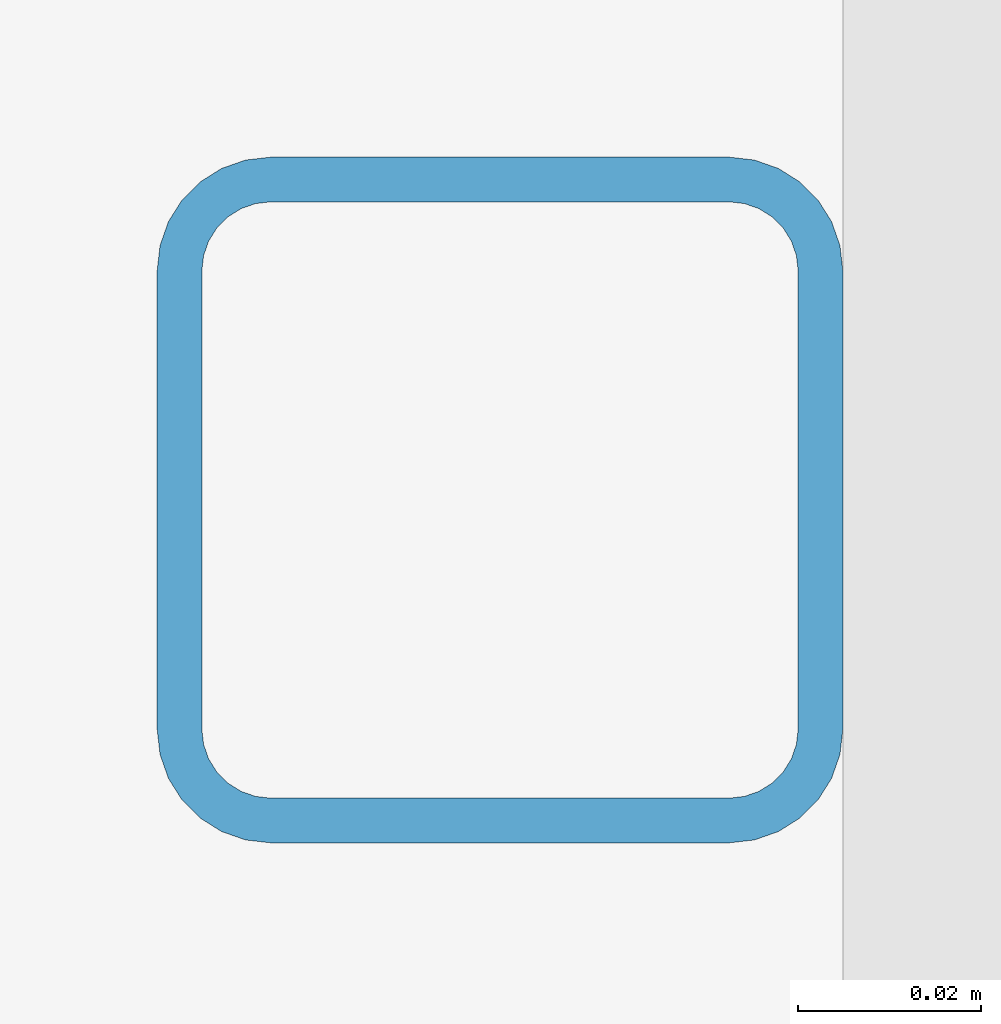
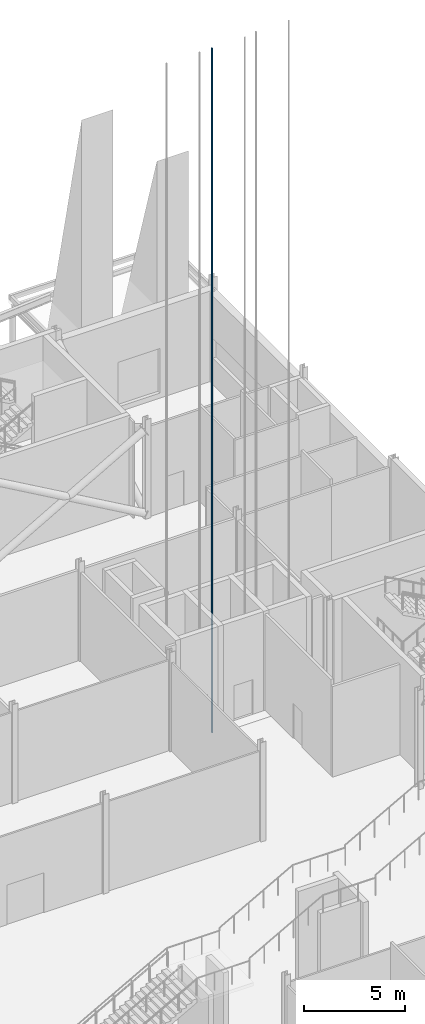
# One storey, part 64 of 139: 1 member.
"""IFC4 building model written with IfcOpenShell, lengths in metres."""

import ifcopenshell
import ifcopenshell.guid

model = None  # the IFC model being written
_history = None  # IfcOwnerHistory: only IFC2X3 demands one
_inside = {}  # id of a spatial element -> (the spatial element, [elements in it])
_under = {}  # id of a project, library or spatial element -> (it, [spatial elements below it])
_declared = {}  # id of a project -> (the project, [libraries it declares])
_typed = {}  # id of a type object -> (the type object, [elements of that type])
_made_of = {}  # id of a material, layer set ... -> (it, [elements and type objects made of it])


def new_model(schema):
    """Start an empty IFC model of exactly this schema.

    Asked for "IFC4X3", IfcOpenShell would pick the latest addendum, in which some entities
    have other attributes; the version numbers below select the first issue.
    IFC2X3 requires an IfcOwnerHistory on every rooted entity: one is made here for all.
    """
    global model, _history
    if schema == "IFC4X3":
        model = ifcopenshell.file(schema_version=(4, 3, 0, 0))
    else:
        model = ifcopenshell.file(schema=schema)
    _inside.clear()
    _under.clear()
    _declared.clear()
    _typed.clear()
    _made_of.clear()
    _history = None
    if model.schema == "IFC2X3":
        org = make("IfcOrganization", Name="unknown")
        user = make(
            "IfcPersonAndOrganization",
            ThePerson=make("IfcPerson", FamilyName="unknown"),
            TheOrganization=org,
        )
        app = make(
            "IfcApplication",
            ApplicationDeveloper=org,
            Version="unknown",
            ApplicationFullName="unknown",
            ApplicationIdentifier="unknown",
        )
        _history = make(
            "IfcOwnerHistory",
            OwningUser=user,
            OwningApplication=app,
            ChangeAction="ADDED",
            CreationDate=0,
        )
    return model


def make(cls, **values):
    """One entity of the class cls with the attributes given. An attribute that is None is left unset."""
    return model.create_entity(
        cls, **{name: value for name, value in values.items() if value is not None}
    )


def rooted(cls, **values):
    """An entity with a GlobalId (a new one), such as an element, a storey or a relation."""
    return make(cls, GlobalId=ifcopenshell.guid.new(), OwnerHistory=_history, **values)


def si_unit(unit_type, name, prefix=None):
    """IfcSIUnit, for example si_unit("LENGTHUNIT", "METRE", prefix="MILLI")."""
    return make("IfcSIUnit", UnitType=unit_type, Prefix=prefix, Name=name)


def assignment(units):
    """IfcUnitAssignment: the units of a project."""
    return None if units is None else make("IfcUnitAssignment", Units=units)


def point(xyz):
    """IfcCartesianPoint."""
    return None if xyz is None else make("IfcCartesianPoint", Coordinates=xyz)


def direction(xyz):
    """IfcDirection."""
    return None if xyz is None else make("IfcDirection", DirectionRatios=xyz)


def frame(location, z_axis=None, x_axis=None):
    """IfcAxis2Placement3D, a coordinate frame: its origin and axes. An axis left out is left unset."""
    return make(
        "IfcAxis2Placement3D",
        Location=point(location),
        Axis=direction(z_axis),
        RefDirection=direction(x_axis),
    )


def frame_2d(location, x_axis=None):
    """IfcAxis2Placement2D, a coordinate frame in the plane: its origin and x axis."""
    return make(
        "IfcAxis2Placement2D", Location=point(location), RefDirection=direction(x_axis)
    )


def origin():
    """The frame at (0, 0, 0) with its axes left unset."""
    return frame((0.0, 0.0, 0.0))


def origin_2d():
    """The frame at (0, 0) in the plane with its x axis left unset."""
    return frame_2d((0.0, 0.0))


def place(relative_to, where):
    """IfcLocalPlacement: puts the frame where relative to a parent placement (None: the world)."""
    return make(
        "IfcLocalPlacement", PlacementRelTo=relative_to, RelativePlacement=where
    )


def context(
    kind, dimensions, precision=None, world=None, true_north=None, identifier=None
):
    """IfcGeometricRepresentationContext, for example the 3D "Model" context."""
    return make(
        "IfcGeometricRepresentationContext",
        ContextIdentifier=identifier,
        ContextType=kind,
        CoordinateSpaceDimension=dimensions,
        Precision=precision,
        WorldCoordinateSystem=world,
        TrueNorth=true_north,
    )


def subcontext(parent, identifier, kind, view, scale=None):
    """IfcGeometricRepresentationSubContext, for example "Body" below "Model"."""
    return make(
        "IfcGeometricRepresentationSubContext",
        ContextIdentifier=identifier,
        ContextType=kind,
        ParentContext=parent,
        TargetScale=scale,
        TargetView=view,
    )


def project(units=None, contexts=None):
    """IfcProject with its units and contexts."""
    return rooted(
        "IfcProject",
        Name="project",
        RepresentationContexts=contexts,
        UnitsInContext=assignment(units),
    )


def spatial(cls, under=None, at=None, **own):
    """A site, building, storey or space (cls), placed at a placement, below another one or the project."""
    s = rooted(cls, ObjectPlacement=at, **own)
    if under is not None:
        _under.setdefault(under.id(), (under, []))[1].append(s)
    return s


def profile(cls, at=None, kind="AREA", **sizes):
    """A parametric profile (cls). Its sizes go by their IFC names, for example OverallWidth=200.0."""
    return make(cls, ProfileType=kind, Position=at, **sizes)


def hollow_rectangle(**sizes):
    """IfcRectangleHollowProfileDef."""
    return profile("IfcRectangleHollowProfileDef", **sizes)


def extrude(swept, where, along, depth):
    """IfcExtrudedAreaSolid: the profile swept, set in the frame where, extruded along a direction by depth."""
    return make(
        "IfcExtrudedAreaSolid",
        SweptArea=swept,
        Position=where,
        ExtrudedDirection=direction(along),
        Depth=depth,
    )


def shape(context_of_items, identifier, shape_type, items):
    """IfcShapeRepresentation: the items that make up one representation, for example the "Body"."""
    return make(
        "IfcShapeRepresentation",
        ContextOfItems=context_of_items,
        RepresentationIdentifier=identifier,
        RepresentationType=shape_type,
        Items=items,
    )


def material(Name=None, Category=None):
    """IfcMaterial."""
    return make("IfcMaterial", Name=Name, Category=Category)


def material_profile(
    of_material, cross_section, Name=None, Category=None, Priority=None
):
    """IfcMaterialProfile: a cross section and its material."""
    return make(
        "IfcMaterialProfile",
        Name=Name,
        Material=of_material,
        Profile=cross_section,
        Priority=Priority,
        Category=Category,
    )


def profile_set(profiles, Name=None, composite=None):
    """IfcMaterialProfileSet."""
    return make(
        "IfcMaterialProfileSet",
        Name=Name,
        MaterialProfiles=profiles,
        CompositeProfile=composite,
    )


def made_of(thing, what):
    """Note that an element or type object is made of a material, layer set ...; save() writes the relation."""
    if what is not None:
        _made_of.setdefault(what.id(), (what, []))[1].append(thing)
    return thing


def type_object(cls, material=None, **own):
    """A type object (cls), such as IfcWallType, which elements share."""
    return made_of(rooted(cls, **own), material)


def element(
    cls,
    number,
    at=None,
    inside=None,
    cuts=None,
    type_object=None,
    material=None,
    context=None,
    identifier="Body",
    shape_type=None,
    held_by="IfcProductDefinitionShape",
    body=None,
    shapes=None,
    **own,
):
    """One element of the class cls, such as IfcWall. Its Tag is "e" and its number.

    at: its placement. inside: the storey or other place that contains it. cuts: it is an
    opening in that element (IfcRelVoidsElement). A single representation is given by context,
    identifier, shape_type and body (its items); several are given by shapes. held_by: the class
    of the entity that holds the representations. save() writes the other relations.
    """
    e = rooted(cls, Tag="e%d" % number, ObjectPlacement=at, **own)
    if body is not None:
        shapes = [shape(context, identifier, shape_type, body)]
    if shapes is not None:
        e.Representation = make(held_by, Representations=shapes)
    if inside is not None:
        _inside.setdefault(inside.id(), (inside, []))[1].append(e)
    if cuts is not None:
        rooted(
            "IfcRelVoidsElement", RelatingBuildingElement=cuts, RelatedOpeningElement=e
        )
    if type_object is not None:
        _typed.setdefault(type_object.id(), (type_object, []))[1].append(e)
    return made_of(e, material)


def aggregate(whole, parts):
    """IfcRelAggregates: a whole, such as a stair, and the parts it consists of."""
    return rooted("IfcRelAggregates", RelatingObject=whole, RelatedObjects=parts)


def save(model, path):
    """Write the relations noted so far, then the file.

    IfcRelAggregates (storeys below a building ...), IfcRelContainedInSpatialStructure (elements
    in a storey), IfcRelDefinesByType, IfcRelAssociatesMaterial and IfcRelDeclares: one each for
    every whole, place, type object, material and project.
    """
    for whole, parts in _under.values():
        aggregate(whole, parts)
    for where, things in _inside.values():
        rooted(
            "IfcRelContainedInSpatialStructure",
            RelatedElements=things,
            RelatingStructure=where,
        )
    for kind, things in _typed.values():
        rooted("IfcRelDefinesByType", RelatedObjects=things, RelatingType=kind)
    for what, things in _made_of.values():
        rooted("IfcRelAssociatesMaterial", RelatedObjects=things, RelatingMaterial=what)
    for by, libraries in _declared.values():
        rooted("IfcRelDeclares", RelatingContext=by, RelatedDefinitions=libraries)
    model.write(path)


model = new_model("IFC4")

# Units and contexts
model_context = context("Model", 3, precision=1e-05, world=origin(), true_north=direction((0.0, 1.0)))
body_context = subcontext(model_context, "Body", "Model", "MODEL_VIEW")
ifc_project = project(units=[si_unit("LENGTHUNIT", "METRE"), si_unit("AREAUNIT", "SQUARE_METRE"), si_unit("VOLUMEUNIT", "CUBIC_METRE"), si_unit("PLANEANGLEUNIT", "RADIAN"), si_unit("MASSUNIT", "GRAM", prefix="KILO")], contexts=[model_context])

# Site, building, storey
site_placement = place(None, origin())
site = spatial("IfcSite", under=ifc_project, at=site_placement, CompositionType="ELEMENT")
building_placement = place(site_placement, origin())
building = spatial("IfcBuilding", under=site, at=building_placement, Name="Shorebreak Coast Museum", CompositionType="ELEMENT")
storey_placement = place(building_placement, origin())
storey = spatial("IfcBuildingStorey", under=building, at=storey_placement, Name="L00", CompositionType="ELEMENT", Elevation=0.0)

# Member
ifc_material = material(Name="Steel Grade C450L0", Category="steel")
ifc_material_profile = material_profile(ifc_material, hollow_rectangle(XDim=0.074951171875, YDim=0.074951171875, WallThickness=0.0048828125, InnerFilletRadius=0.007568359375, OuterFilletRadius=0.012451171875, at=origin_2d()), Name="75x75x5.0 SHS")
ifc_profile_set = profile_set([ifc_material_profile], Name="Steel Grade C450L0")
member_type = type_object("IfcMemberType", Name="Lift guide rail 75x75x5.0 SHS", PredefinedType="POST", material=ifc_profile_set)
member_placement = place(storey_placement, frame((102.5625, 92.10009765625, -1.5), z_axis=(0.0, 0.0, 1.0), x_axis=(1.0, 0.0, 0.0)))
element("IfcMember", 1, at=member_placement, inside=storey, type_object=member_type, Name="Lift P4 guide rail", PredefinedType="POST", context=body_context, shape_type="SweptSolid", body=[
    extrude(hollow_rectangle(XDim=0.074951171875, YDim=0.074951171875, WallThickness=0.0048828125, InnerFilletRadius=0.007568359375, OuterFilletRadius=0.012451171875, at=origin_2d()), origin(), (0.0, 0.0, 1.0), 41.39990234375),
])

save(model, "model.ifc")
